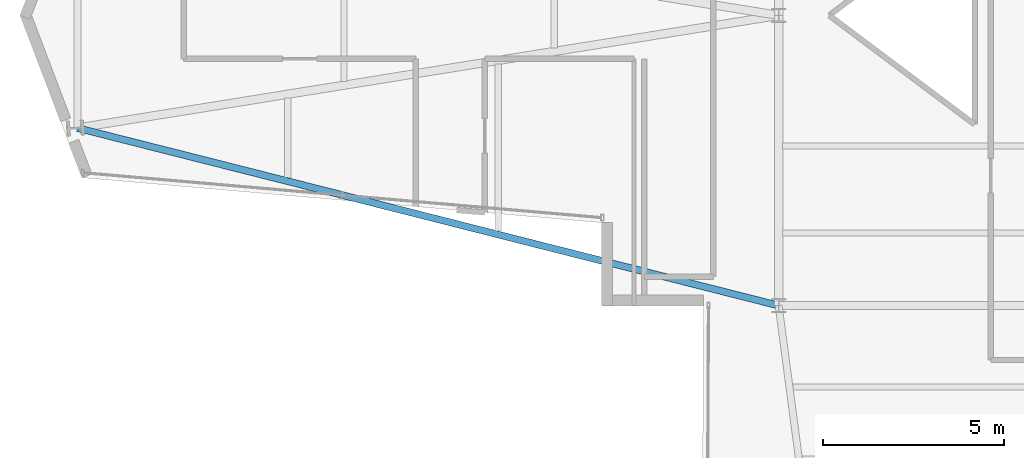
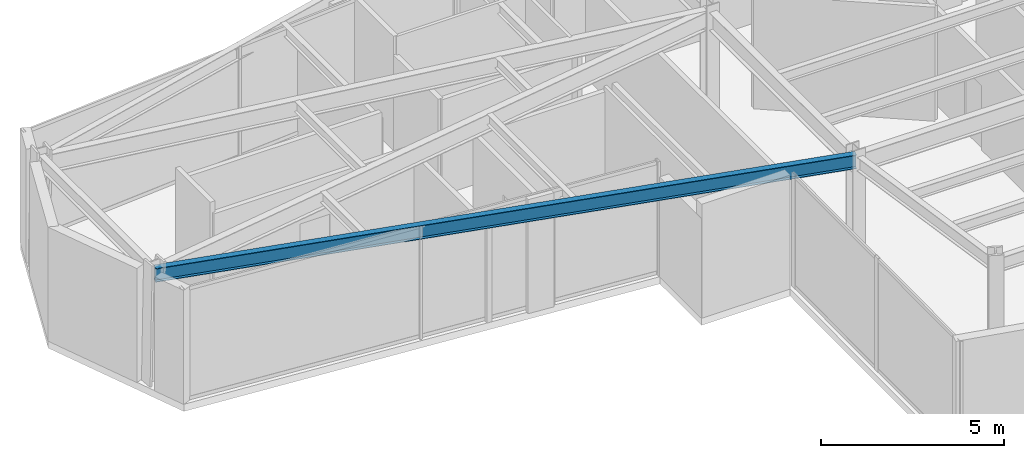
# One storey, part 3 of 23: 1 beam.
"""IFC4 building model written with IfcOpenShell, lengths in metres."""

from ifc_helpers import new_model, si_unit, direction, frame, origin, origin_2d, place, context, subcontext, project, spatial, i_section, extrude, material, material_profile, profile_set, type_object, element, save


model = new_model("IFC4")

# Units and contexts
model_context = context("Model", 3, precision=1e-05, world=origin(), true_north=direction((0.0, 1.0)))
body_context = subcontext(model_context, "Body", "Model", "MODEL_VIEW")
ifc_project = project(units=[si_unit("LENGTHUNIT", "METRE"), si_unit("AREAUNIT", "SQUARE_METRE"), si_unit("VOLUMEUNIT", "CUBIC_METRE"), si_unit("PLANEANGLEUNIT", "RADIAN"), si_unit("MASSUNIT", "GRAM", prefix="KILO")], contexts=[model_context])

# Site, building, storey
site_placement = place(None, origin())
site = spatial("IfcSite", under=ifc_project, at=site_placement, CompositionType="ELEMENT")
building_placement = place(site_placement, origin())
building = spatial("IfcBuilding", under=site, at=building_placement, Name="Veymaron Broadcast Tower", CompositionType="ELEMENT")
storey_placement = place(building_placement, frame((0.0, 0.0, 161.39990234375)))
storey = spatial("IfcBuildingStorey", under=building, at=storey_placement, Name="L37", CompositionType="ELEMENT", Elevation=161.39990234375)

# Beam
ifc_material = material(Name="Structural steel ASTM A992 Gr 50", Category="steel")
ifc_material_profile = material_profile(ifc_material, i_section(OverallWidth=0.19091796875, OverallDepth=0.4599609375, WebThickness=0.010009765625, FlangeThickness=0.01611328125, at=origin_2d()), Name="W460X82")
ifc_profile_set = profile_set([ifc_material_profile], Name="Structural steel ASTM A992 Gr 50")
beam_type = type_object("IfcBeamType", Name="BM-SP1", PredefinedType="SPANDREL", material=ifc_profile_set)
beam_placement = place(storey_placement, frame((11.87109375, 20.89501953125, 3.580078125), z_axis=(0.969396827712, -0.245499063996, 0.0), x_axis=(0.245499063996, 0.969396827712, 0.0)))
element("IfcBeam", 1, at=beam_placement, inside=storey, type_object=beam_type, Name="L37 primary structural floor girder", PredefinedType="SPANDREL", context=body_context, shape_type="SweptSolid", body=[
    extrude(i_section(OverallWidth=0.19091796875, OverallDepth=0.4599609375, WebThickness=0.010009765625, FlangeThickness=0.01611328125, at=origin_2d()), origin(), (0.0, 0.0, 1.0), 19.93896484375),
])

save(model, "model.ifc")
